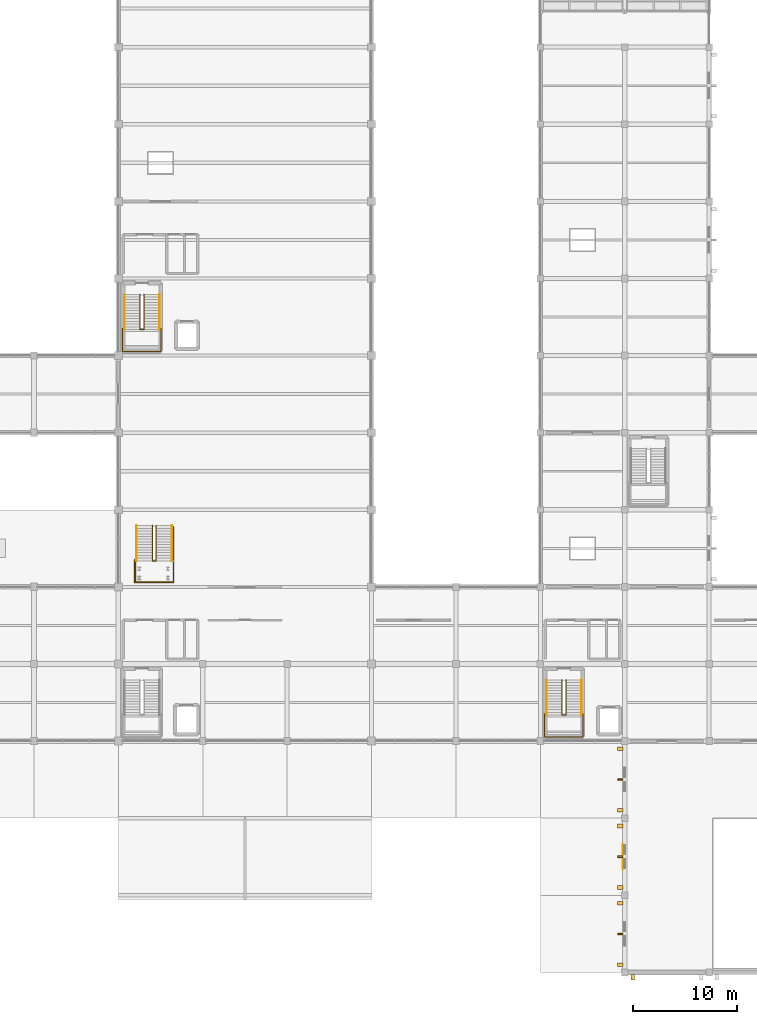
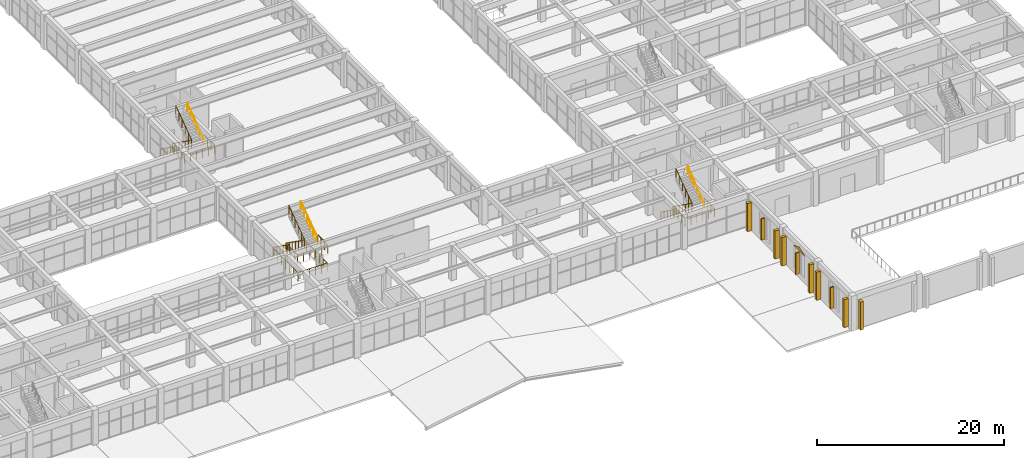
# One storey, part 157 of 161: 13 railings, 10 shading devices, 1 covering.
"""IFC4 building model written with IfcOpenShell, lengths in metres."""

from ifc_helpers import new_model, si_unit, direction, frame, origin, origin_2d, place, context, subcontext, project, spatial, polyline, rectangle, circle, outline, extrude, material, layer, layer_set, type_object, element, save


model = new_model("IFC4")

# Units and contexts
model_context = context("Model", 3, precision=1e-05, world=origin(), true_north=direction((0.0, 1.0)))
body_context = subcontext(model_context, "Body", "Model", "MODEL_VIEW")
ifc_project = project(units=[si_unit("LENGTHUNIT", "METRE"), si_unit("AREAUNIT", "SQUARE_METRE"), si_unit("VOLUMEUNIT", "CUBIC_METRE"), si_unit("PLANEANGLEUNIT", "RADIAN"), si_unit("MASSUNIT", "GRAM", prefix="KILO")], contexts=[model_context])

# Site, building, storey
site_placement = place(None, origin())
site = spatial("IfcSite", under=ifc_project, at=site_placement, CompositionType="ELEMENT")
building_placement = place(site_placement, origin())
building = spatial("IfcBuilding", under=site, at=building_placement, Name="Cimatlan Art Gallery", CompositionType="ELEMENT")
storey_placement = place(building_placement, frame((0.0, 0.0, 5.39990234375)))
storey = spatial("IfcBuildingStorey", under=building, at=storey_placement, Name="L01", CompositionType="ELEMENT", Elevation=5.39990234375)

# Covering
ifc_material_1 = material(Name="Queretaro cantera limestone ashlar hood-mould", Category="masonry")
ifc_layer = layer(ifc_material_1, 0.0419921875)
ifc_layer_set = layer_set([ifc_layer], Name="Queretaro cantera limestone ashlar hood-mould")
covering_type = type_object("IfcCoveringType", Name="COV-CLAD-CANTERA-42", PredefinedType="CLADDING", material=ifc_layer_set)
covering_placement = place(storey_placement, frame((123.32958984375, 11.5400390625, 3.580078125), z_axis=(1.0, 0.0, 0.0), x_axis=(0.0, 1.0, 0.0)))
element("IfcCovering", 1, at=covering_placement, inside=storey, type_object=covering_type, Name="CLD-037", PredefinedType="CLADDING", context=body_context, shape_type="SweptSolid", body=[
    extrude(outline(polyline([(0.0, 0.0), (2.52001953125, 0.0), (1.260009765625, 0.52001953125), (0.0, 0.0)])), origin(), (0.0, 0.0, -1.0), 0.0419921875),
])

# Railings
ifc_material_2 = material(Name="Painted steel and bronze interior balustrade", Category="steel")
railing_type_1 = type_object("IfcRailingType", Name="RL-BAL-INT-1120", PredefinedType="BALUSTRADE", material=ifc_material_2)
railing_1_placement = place(storey_placement, frame((115.81005859375, 26.510009765625, 2.400146484375)))
element("IfcRailing", 2, at=railing_1_placement, inside=storey, type_object=railing_type_1, Name="STR-C4-L01-LGRD", PredefinedType="BALUSTRADE", context=body_context, shape_type="SweptSolid", body=[
    extrude(circle(Radius=0.02392578125, at=origin_2d()), frame((0.0, 0.0, 1.09619140625), z_axis=(0.0, -1.0, 0.0), x_axis=(1.0, 0.0, 0.0)), (0.0, 0.0, 1.0), 2.199951171875),
    extrude(circle(Radius=0.02392578125, at=origin_2d()), frame((0.0, -2.199951171875, 1.09619140625), z_axis=(1.0, 0.0, 0.0), x_axis=(0.0, 1.0, 0.0)), (0.0, 0.0, 1.0), 3.669921875),
    extrude(circle(Radius=0.02392578125, at=origin_2d()), frame((3.669921875, -2.199951171875, 1.09619140625), z_axis=(0.0, 1.0, 0.0), x_axis=(-1.0, 0.0, 0.0)), (0.0, 0.0, 1.0), 2.199951171875),
    extrude(circle(Radius=0.02001953125, at=origin_2d()), origin(), (0.0, 0.0, 1.0), 1.072021484375),
    extrude(circle(Radius=0.02001953125, at=origin_2d()), frame((0.0, -0.7333984375, 0.0)), (0.0, 0.0, 1.0), 1.072021484375),
    extrude(circle(Radius=0.02001953125, at=origin_2d()), frame((0.0, -1.466552734375, 0.0)), (0.0, 0.0, 1.0), 1.072021484375),
    extrude(circle(Radius=0.02001953125, at=origin_2d()), frame((0.0, -2.199951171875, 0.0)), (0.0, 0.0, 1.0), 1.072021484375),
    extrude(circle(Radius=0.02001953125, at=origin_2d()), frame((0.73388671875, -2.199951171875, 0.0)), (0.0, 0.0, 1.0), 1.072021484375),
    extrude(circle(Radius=0.02001953125, at=origin_2d()), frame((1.468017578125, -2.199951171875, 0.0)), (0.0, 0.0, 1.0), 1.072021484375),
    extrude(circle(Radius=0.02001953125, at=origin_2d()), frame((2.201904296875, -2.199951171875, 0.0)), (0.0, 0.0, 1.0), 1.072021484375),
    extrude(circle(Radius=0.02001953125, at=origin_2d()), frame((2.93603515625, -2.199951171875, 0.0)), (0.0, 0.0, 1.0), 1.072021484375),
    extrude(circle(Radius=0.02001953125, at=origin_2d()), frame((3.669921875, -2.199951171875, 0.0)), (0.0, 0.0, 1.0), 1.072021484375),
    extrude(circle(Radius=0.02001953125, at=origin_2d()), frame((3.669921875, -1.466552734375, 0.0)), (0.0, 0.0, 1.0), 1.072021484375),
    extrude(circle(Radius=0.02001953125, at=origin_2d()), frame((3.669921875, -0.7333984375, 0.0)), (0.0, 0.0, 1.0), 1.072021484375),
    extrude(circle(Radius=0.02001953125, at=origin_2d()), frame((3.669921875, 0.0, 0.0)), (0.0, 0.0, 1.0), 1.072021484375),
])
railing_2_placement = place(storey_placement, frame((117.469970703125, 29.780029296875, 0.0)))
element("IfcRailing", 3, at=railing_2_placement, inside=storey, type_object=railing_type_1, Name="STR-C4-L01-GRD", PredefinedType="BALUSTRADE", context=body_context, shape_type="SweptSolid", body=[
    extrude(circle(Radius=0.02392578125, at=origin_2d()), frame((0.0, 0.0, 1.09619140625), z_axis=(0.0, -0.815353794257, 0.578963030072), x_axis=(1.0, 0.0, 0.0)), (0.0, 0.0, 1.0), 4.1455078125),
    extrude(circle(Radius=0.02392578125, at=origin_2d()), frame((0.0, -3.380126953125, 3.49609375), z_axis=(1.0, 0.0, 0.0), x_axis=(0.0, 1.0, 0.0)), (0.0, 0.0, 1.0), 0.400146484375),
    extrude(circle(Radius=0.02392578125, at=origin_2d()), frame((0.400146484375, -3.380126953125, 3.49609375), z_axis=(0.0, 0.815381594603, 0.578923876847), x_axis=(-1.0, 0.0, 0.0)), (0.0, 0.0, 1.0), 4.1455078125),
    extrude(circle(Radius=0.02001953125, at=origin_2d()), origin(), (0.0, 0.0, 1.0), 1.072021484375),
    extrude(circle(Radius=0.02001953125, at=origin_2d()), frame((0.0, -0.676025390625, 0.47998046875)), (0.0, 0.0, 1.0), 1.072021484375),
    extrude(circle(Radius=0.02001953125, at=origin_2d()), frame((0.0, -1.35205078125, 0.9599609375)), (0.0, 0.0, 1.0), 1.072021484375),
    extrude(circle(Radius=0.02001953125, at=origin_2d()), frame((0.0, -2.028076171875, 1.440185546875)), (0.0, 0.0, 1.0), 1.072021484375),
    extrude(circle(Radius=0.02001953125, at=origin_2d()), frame((0.0, -2.7041015625, 1.920166015625)), (0.0, 0.0, 1.0), 1.072021484375),
    extrude(circle(Radius=0.02001953125, at=origin_2d()), frame((0.0, -3.380126953125, 2.400146484375)), (0.0, 0.0, 1.0), 1.072021484375),
    extrude(circle(Radius=0.02001953125, at=origin_2d()), frame((0.400146484375, -3.380126953125, 2.400146484375)), (0.0, 0.0, 1.0), 1.072021484375),
    extrude(circle(Radius=0.02001953125, at=origin_2d()), frame((0.400146484375, -2.7041015625, 2.880126953125)), (0.0, 0.0, 1.0), 1.072021484375),
    extrude(circle(Radius=0.02001953125, at=origin_2d()), frame((0.400146484375, -2.028076171875, 3.360107421875)), (0.0, 0.0, 1.0), 1.072021484375),
    extrude(circle(Radius=0.02001953125, at=origin_2d()), frame((0.400146484375, -1.35205078125, 3.840087890625)), (0.0, 0.0, 1.0), 1.072021484375),
    extrude(circle(Radius=0.02001953125, at=origin_2d()), frame((0.400146484375, -0.676025390625, 4.320068359375)), (0.0, 0.0, 1.0), 1.072021484375),
    extrude(circle(Radius=0.02001953125, at=origin_2d()), frame((0.400146484375, 0.0, 4.800048828125)), (0.0, 0.0, 1.0), 1.072021484375),
])
railing_3_placement = place(storey_placement, frame((75.31005859375, 63.510009765625, 2.400146484375)))
element("IfcRailing", 4, at=railing_3_placement, inside=storey, type_object=railing_type_1, Name="STR-C6-L01-LGRD", PredefinedType="BALUSTRADE", context=body_context, shape_type="SweptSolid", body=[
    extrude(circle(Radius=0.02392578125, at=origin_2d()), frame((0.0, 0.0, 1.09619140625), z_axis=(0.0, -1.0, 0.0), x_axis=(1.0, 0.0, 0.0)), (0.0, 0.0, 1.0), 2.199951171875),
    extrude(circle(Radius=0.02392578125, at=origin_2d()), frame((0.0, -2.199951171875, 1.09619140625), z_axis=(1.0, 0.0, 0.0), x_axis=(0.0, 1.0, 0.0)), (0.0, 0.0, 1.0), 3.669921875),
    extrude(circle(Radius=0.02392578125, at=origin_2d()), frame((3.669921875, -2.199951171875, 1.09619140625), z_axis=(0.0, 1.0, 0.0), x_axis=(-1.0, 0.0, 0.0)), (0.0, 0.0, 1.0), 2.199951171875),
    extrude(circle(Radius=0.02001953125, at=origin_2d()), origin(), (0.0, 0.0, 1.0), 1.072021484375),
    extrude(circle(Radius=0.02001953125, at=origin_2d()), frame((0.0, -0.7333984375, 0.0)), (0.0, 0.0, 1.0), 1.072021484375),
    extrude(circle(Radius=0.02001953125, at=origin_2d()), frame((0.0, -1.466552734375, 0.0)), (0.0, 0.0, 1.0), 1.072021484375),
    extrude(circle(Radius=0.02001953125, at=origin_2d()), frame((0.0, -2.199951171875, 0.0)), (0.0, 0.0, 1.0), 1.072021484375),
    extrude(circle(Radius=0.02001953125, at=origin_2d()), frame((0.73388671875, -2.199951171875, 0.0)), (0.0, 0.0, 1.0), 1.072021484375),
    extrude(circle(Radius=0.02001953125, at=origin_2d()), frame((1.468017578125, -2.199951171875, 0.0)), (0.0, 0.0, 1.0), 1.072021484375),
    extrude(circle(Radius=0.02001953125, at=origin_2d()), frame((2.201904296875, -2.199951171875, 0.0)), (0.0, 0.0, 1.0), 1.072021484375),
    extrude(circle(Radius=0.02001953125, at=origin_2d()), frame((2.93603515625, -2.199951171875, 0.0)), (0.0, 0.0, 1.0), 1.072021484375),
    extrude(circle(Radius=0.02001953125, at=origin_2d()), frame((3.669921875, -2.199951171875, 0.0)), (0.0, 0.0, 1.0), 1.072021484375),
    extrude(circle(Radius=0.02001953125, at=origin_2d()), frame((3.669921875, -1.466552734375, 0.0)), (0.0, 0.0, 1.0), 1.072021484375),
    extrude(circle(Radius=0.02001953125, at=origin_2d()), frame((3.669921875, -0.7333984375, 0.0)), (0.0, 0.0, 1.0), 1.072021484375),
    extrude(circle(Radius=0.02001953125, at=origin_2d()), frame((3.669921875, 0.0, 0.0)), (0.0, 0.0, 1.0), 1.072021484375),
])
railing_4_placement = place(storey_placement, frame((76.969970703125, 66.780029296875, 0.0)))
element("IfcRailing", 5, at=railing_4_placement, inside=storey, type_object=railing_type_1, Name="STR-C6-L01-GRD", PredefinedType="BALUSTRADE", context=body_context, shape_type="SweptSolid", body=[
    extrude(circle(Radius=0.02392578125, at=origin_2d()), frame((0.0, 0.0, 1.09619140625), z_axis=(0.0, -0.815353794257, 0.578963030072), x_axis=(1.0, 0.0, 0.0)), (0.0, 0.0, 1.0), 4.1455078125),
    extrude(circle(Radius=0.02392578125, at=origin_2d()), frame((0.0, -3.380126953125, 3.49609375), z_axis=(1.0, 0.0, 0.0), x_axis=(0.0, 1.0, 0.0)), (0.0, 0.0, 1.0), 0.400146484375),
    extrude(circle(Radius=0.02392578125, at=origin_2d()), frame((0.400146484375, -3.380126953125, 3.49609375), z_axis=(0.0, 0.815381594603, 0.578923876847), x_axis=(-1.0, 0.0, 0.0)), (0.0, 0.0, 1.0), 4.1455078125),
    extrude(circle(Radius=0.02001953125, at=origin_2d()), origin(), (0.0, 0.0, 1.0), 1.072021484375),
    extrude(circle(Radius=0.02001953125, at=origin_2d()), frame((0.0, -0.676025390625, 0.47998046875)), (0.0, 0.0, 1.0), 1.072021484375),
    extrude(circle(Radius=0.02001953125, at=origin_2d()), frame((0.0, -1.35205078125, 0.9599609375)), (0.0, 0.0, 1.0), 1.072021484375),
    extrude(circle(Radius=0.02001953125, at=origin_2d()), frame((0.0, -2.028076171875, 1.440185546875)), (0.0, 0.0, 1.0), 1.072021484375),
    extrude(circle(Radius=0.02001953125, at=origin_2d()), frame((0.0, -2.7041015625, 1.920166015625)), (0.0, 0.0, 1.0), 1.072021484375),
    extrude(circle(Radius=0.02001953125, at=origin_2d()), frame((0.0, -3.380126953125, 2.400146484375)), (0.0, 0.0, 1.0), 1.072021484375),
    extrude(circle(Radius=0.02001953125, at=origin_2d()), frame((0.400146484375, -3.380126953125, 2.400146484375)), (0.0, 0.0, 1.0), 1.072021484375),
    extrude(circle(Radius=0.02001953125, at=origin_2d()), frame((0.400146484375, -2.7041015625, 2.880126953125)), (0.0, 0.0, 1.0), 1.072021484375),
    extrude(circle(Radius=0.02001953125, at=origin_2d()), frame((0.400146484375, -2.028076171875, 3.360107421875)), (0.0, 0.0, 1.0), 1.072021484375),
    extrude(circle(Radius=0.02001953125, at=origin_2d()), frame((0.400146484375, -1.35205078125, 3.840087890625)), (0.0, 0.0, 1.0), 1.072021484375),
    extrude(circle(Radius=0.02001953125, at=origin_2d()), frame((0.400146484375, -0.676025390625, 4.320068359375)), (0.0, 0.0, 1.0), 1.072021484375),
    extrude(circle(Radius=0.02001953125, at=origin_2d()), frame((0.400146484375, 0.0, 4.800048828125)), (0.0, 0.0, 1.0), 1.072021484375),
])
railing_5_placement = place(storey_placement, frame((76.4599609375, 41.31005859375, 2.400146484375)))
element("IfcRailing", 6, at=railing_5_placement, inside=storey, type_object=railing_type_1, Name="STR-FEAT-02-LGRD", PredefinedType="BALUSTRADE", context=body_context, shape_type="SweptSolid", body=[
    extrude(circle(Radius=0.02392578125, at=origin_2d()), frame((0.0, 0.0, 1.09619140625), z_axis=(0.0, -1.0, 0.0), x_axis=(1.0, 0.0, 0.0)), (0.0, 0.0, 1.0), 2.199951171875),
    extrude(circle(Radius=0.02392578125, at=origin_2d()), frame((0.0, -2.199951171875, 1.09619140625), z_axis=(1.0, 0.0, 0.0), x_axis=(0.0, 1.0, 0.0)), (0.0, 0.0, 1.0), 3.72998046875),
    extrude(circle(Radius=0.02392578125, at=origin_2d()), frame((3.72998046875, -2.199951171875, 1.09619140625), z_axis=(0.0, 1.0, 0.0), x_axis=(-1.0, 0.0, 0.0)), (0.0, 0.0, 1.0), 2.199951171875),
    extrude(circle(Radius=0.02001953125, at=origin_2d()), origin(), (0.0, 0.0, 1.0), 1.072021484375),
    extrude(circle(Radius=0.02001953125, at=origin_2d()), frame((0.0, -0.7333984375, 0.0)), (0.0, 0.0, 1.0), 1.072021484375),
    extrude(circle(Radius=0.02001953125, at=origin_2d()), frame((0.0, -1.466552734375, 0.0)), (0.0, 0.0, 1.0), 1.072021484375),
    extrude(circle(Radius=0.02001953125, at=origin_2d()), frame((0.0, -2.199951171875, 0.0)), (0.0, 0.0, 1.0), 1.072021484375),
    extrude(circle(Radius=0.02001953125, at=origin_2d()), frame((0.74609375, -2.199951171875, 0.0)), (0.0, 0.0, 1.0), 1.072021484375),
    extrude(circle(Radius=0.02001953125, at=origin_2d()), frame((1.491943359375, -2.199951171875, 0.0)), (0.0, 0.0, 1.0), 1.072021484375),
    extrude(circle(Radius=0.02001953125, at=origin_2d()), frame((2.238037109375, -2.199951171875, 0.0)), (0.0, 0.0, 1.0), 1.072021484375),
    extrude(circle(Radius=0.02001953125, at=origin_2d()), frame((2.98388671875, -2.199951171875, 0.0)), (0.0, 0.0, 1.0), 1.072021484375),
    extrude(circle(Radius=0.02001953125, at=origin_2d()), frame((3.72998046875, -2.199951171875, 0.0)), (0.0, 0.0, 1.0), 1.072021484375),
    extrude(circle(Radius=0.02001953125, at=origin_2d()), frame((3.72998046875, -1.466552734375, 0.0)), (0.0, 0.0, 1.0), 1.072021484375),
    extrude(circle(Radius=0.02001953125, at=origin_2d()), frame((3.72998046875, -0.7333984375, 0.0)), (0.0, 0.0, 1.0), 1.072021484375),
    extrude(circle(Radius=0.02001953125, at=origin_2d()), frame((3.72998046875, 0.0, 0.0)), (0.0, 0.0, 1.0), 1.072021484375),
])
railing_6_placement = place(storey_placement, frame((78.169921875, 44.580078125, 0.0)))
element("IfcRailing", 7, at=railing_6_placement, inside=storey, type_object=railing_type_1, Name="STR-FEAT-02-GRD", PredefinedType="BALUSTRADE", context=body_context, shape_type="SweptSolid", body=[
    extrude(circle(Radius=0.02392578125, at=origin_2d()), frame((0.0, 0.0, 1.09619140625), z_axis=(0.0, -0.815353794257, 0.578963030072), x_axis=(1.0, 0.0, 0.0)), (0.0, 0.0, 1.0), 4.1455078125),
    extrude(circle(Radius=0.02392578125, at=origin_2d()), frame((0.0, -3.380126953125, 3.49609375), z_axis=(1.0, 0.0, 0.0), x_axis=(0.0, 1.0, 0.0)), (0.0, 0.0, 1.0), 0.360107421875),
    extrude(circle(Radius=0.02392578125, at=origin_2d()), frame((0.360107421875, -3.380126953125, 3.49609375), z_axis=(0.0, 0.815381594603, 0.578923876847), x_axis=(-1.0, 0.0, 0.0)), (0.0, 0.0, 1.0), 4.1455078125),
    extrude(circle(Radius=0.02001953125, at=origin_2d()), origin(), (0.0, 0.0, 1.0), 1.072021484375),
    extrude(circle(Radius=0.02001953125, at=origin_2d()), frame((0.0, -0.676025390625, 0.47998046875)), (0.0, 0.0, 1.0), 1.072021484375),
    extrude(circle(Radius=0.02001953125, at=origin_2d()), frame((0.0, -1.35205078125, 0.9599609375)), (0.0, 0.0, 1.0), 1.072021484375),
    extrude(circle(Radius=0.02001953125, at=origin_2d()), frame((0.0, -2.028076171875, 1.440185546875)), (0.0, 0.0, 1.0), 1.072021484375),
    extrude(circle(Radius=0.02001953125, at=origin_2d()), frame((0.0, -2.7041015625, 1.920166015625)), (0.0, 0.0, 1.0), 1.072021484375),
    extrude(circle(Radius=0.02001953125, at=origin_2d()), frame((0.0, -3.380126953125, 2.400146484375)), (0.0, 0.0, 1.0), 1.072021484375),
    extrude(circle(Radius=0.02001953125, at=origin_2d()), frame((0.360107421875, -3.380126953125, 2.400146484375)), (0.0, 0.0, 1.0), 1.072021484375),
    extrude(circle(Radius=0.02001953125, at=origin_2d()), frame((0.360107421875, -2.7041015625, 2.880126953125)), (0.0, 0.0, 1.0), 1.072021484375),
    extrude(circle(Radius=0.02001953125, at=origin_2d()), frame((0.360107421875, -2.028076171875, 3.360107421875)), (0.0, 0.0, 1.0), 1.072021484375),
    extrude(circle(Radius=0.02001953125, at=origin_2d()), frame((0.360107421875, -1.35205078125, 3.840087890625)), (0.0, 0.0, 1.0), 1.072021484375),
    extrude(circle(Radius=0.02001953125, at=origin_2d()), frame((0.360107421875, -0.676025390625, 4.320068359375)), (0.0, 0.0, 1.0), 1.072021484375),
    extrude(circle(Radius=0.02001953125, at=origin_2d()), frame((0.360107421875, 0.0, 4.800048828125)), (0.0, 0.0, 1.0), 1.072021484375),
])
railing_7_placement = place(storey_placement, frame((76.659912109375, 44.580078125, 0.0)))
element("IfcRailing", 8, at=railing_7_placement, inside=storey, type_object=railing_type_1, Name="STR-FEAT-02-HR1", PredefinedType="BALUSTRADE", context=body_context, shape_type="SweptSolid", body=[
    extrude(circle(Radius=0.02197265625, at=origin_2d()), frame((0.0, 0.0, 1.09814453125), z_axis=(0.0, -0.815353794257, 0.578963030072), x_axis=(1.0, 0.0, 0.0)), (0.0, 0.0, 1.0), 4.1455078125),
    extrude(circle(Radius=0.01904296875, at=origin_2d()), origin(), (0.0, 0.0, 1.0), 1.076171875),
    extrude(circle(Radius=0.01904296875, at=origin_2d()), frame((0.0, -0.676025390625, 0.47998046875)), (0.0, 0.0, 1.0), 1.076171875),
    extrude(circle(Radius=0.01904296875, at=origin_2d()), frame((0.0, -1.35205078125, 0.9599609375)), (0.0, 0.0, 1.0), 1.076171875),
    extrude(circle(Radius=0.01904296875, at=origin_2d()), frame((0.0, -2.028076171875, 1.440185546875)), (0.0, 0.0, 1.0), 1.076171875),
    extrude(circle(Radius=0.01904296875, at=origin_2d()), frame((0.0, -2.7041015625, 1.920166015625)), (0.0, 0.0, 1.0), 1.076171875),
    extrude(circle(Radius=0.01904296875, at=origin_2d()), frame((0.0, -3.380126953125, 2.400146484375)), (0.0, 0.0, 1.0), 1.076171875),
])
railing_8_placement = place(storey_placement, frame((80.0400390625, 41.199951171875, 2.400146484375)))
element("IfcRailing", 9, at=railing_8_placement, inside=storey, type_object=railing_type_1, Name="STR-FEAT-02-HR2", PredefinedType="BALUSTRADE", context=body_context, shape_type="SweptSolid", body=[
    extrude(circle(Radius=0.02197265625, at=origin_2d()), frame((0.0, 0.0, 1.09814453125), z_axis=(0.0, 0.815381594603, 0.578923876847), x_axis=(-1.0, 0.0, 0.0)), (0.0, 0.0, 1.0), 4.1455078125),
    extrude(circle(Radius=0.01904296875, at=origin_2d()), origin(), (0.0, 0.0, 1.0), 1.076171875),
    extrude(circle(Radius=0.01904296875, at=origin_2d()), frame((0.0, 0.676025390625, 0.47998046875)), (0.0, 0.0, 1.0), 1.076171875),
    extrude(circle(Radius=0.01904296875, at=origin_2d()), frame((0.0, 1.35205078125, 0.9599609375)), (0.0, 0.0, 1.0), 1.076171875),
    extrude(circle(Radius=0.01904296875, at=origin_2d()), frame((0.0, 2.028076171875, 1.43994140625)), (0.0, 0.0, 1.0), 1.076171875),
    extrude(circle(Radius=0.01904296875, at=origin_2d()), frame((0.0, 2.7041015625, 1.919921875)), (0.0, 0.0, 1.0), 1.076171875),
    extrude(circle(Radius=0.01904296875, at=origin_2d()), frame((0.0, 3.380126953125, 2.39990234375)), (0.0, 0.0, 1.0), 1.076171875),
])
railing_9_placement = place(storey_placement, frame((76.530029296875, 44.47998046875, 0.0)))
element("IfcRailing", 10, at=railing_9_placement, inside=storey, type_object=railing_type_1, Name="GR-FS95-L01", PredefinedType="BALUSTRADE", context=body_context, shape_type="SweptSolid", body=[
    extrude(circle(Radius=0.02392578125, at=origin_2d()), frame((0.0, 0.0, 1.09619140625), z_axis=(0.0, -1.0, 0.0), x_axis=(1.0, 0.0, 0.0)), (0.0, 0.0, 1.0), 5.300048828125),
    extrude(circle(Radius=0.02392578125, at=origin_2d()), frame((0.0, -5.300048828125, 1.09619140625), z_axis=(1.0, 0.0, 0.0), x_axis=(0.0, 1.0, 0.0)), (0.0, 0.0, 1.0), 3.639892578125),
    extrude(circle(Radius=0.02392578125, at=origin_2d()), frame((3.639892578125, -5.300048828125, 1.09619140625), z_axis=(0.0, 1.0, 0.0), x_axis=(-1.0, 0.0, 0.0)), (0.0, 0.0, 1.0), 5.300048828125),
    extrude(circle(Radius=0.02001953125, at=origin_2d()), origin(), (0.0, 0.0, 1.0), 1.072021484375),
    extrude(circle(Radius=0.02001953125, at=origin_2d()), frame((0.0, -0.88330078125, 0.0)), (0.0, 0.0, 1.0), 1.072021484375),
    extrude(circle(Radius=0.02001953125, at=origin_2d()), frame((0.0, -1.7666015625, 0.0)), (0.0, 0.0, 1.0), 1.072021484375),
    extrude(circle(Radius=0.02001953125, at=origin_2d()), frame((0.0, -2.64990234375, 0.0)), (0.0, 0.0, 1.0), 1.072021484375),
    extrude(circle(Radius=0.02001953125, at=origin_2d()), frame((0.0, -3.533447265625, 0.0)), (0.0, 0.0, 1.0), 1.072021484375),
    extrude(circle(Radius=0.02001953125, at=origin_2d()), frame((0.0, -4.416748046875, 0.0)), (0.0, 0.0, 1.0), 1.072021484375),
    extrude(circle(Radius=0.02001953125, at=origin_2d()), frame((0.0, -5.300048828125, 0.0)), (0.0, 0.0, 1.0), 1.072021484375),
    extrude(circle(Radius=0.02001953125, at=origin_2d()), frame((0.72802734375, -5.300048828125, 0.0)), (0.0, 0.0, 1.0), 1.072021484375),
    extrude(circle(Radius=0.02001953125, at=origin_2d()), frame((1.4560546875, -5.300048828125, 0.0)), (0.0, 0.0, 1.0), 1.072021484375),
    extrude(circle(Radius=0.02001953125, at=origin_2d()), frame((2.183837890625, -5.300048828125, 0.0)), (0.0, 0.0, 1.0), 1.072021484375),
    extrude(circle(Radius=0.02001953125, at=origin_2d()), frame((2.911865234375, -5.300048828125, 0.0)), (0.0, 0.0, 1.0), 1.072021484375),
    extrude(circle(Radius=0.02001953125, at=origin_2d()), frame((3.639892578125, -5.300048828125, 0.0)), (0.0, 0.0, 1.0), 1.072021484375),
    extrude(circle(Radius=0.02001953125, at=origin_2d()), frame((3.639892578125, -4.416748046875, 0.0)), (0.0, 0.0, 1.0), 1.072021484375),
    extrude(circle(Radius=0.02001953125, at=origin_2d()), frame((3.639892578125, -3.533447265625, 0.0)), (0.0, 0.0, 1.0), 1.072021484375),
    extrude(circle(Radius=0.02001953125, at=origin_2d()), frame((3.639892578125, -2.64990234375, 0.0)), (0.0, 0.0, 1.0), 1.072021484375),
    extrude(circle(Radius=0.02001953125, at=origin_2d()), frame((3.639892578125, -1.7666015625, 0.0)), (0.0, 0.0, 1.0), 1.072021484375),
    extrude(circle(Radius=0.02001953125, at=origin_2d()), frame((3.639892578125, -0.88330078125, 0.0)), (0.0, 0.0, 1.0), 1.072021484375),
    extrude(circle(Radius=0.02001953125, at=origin_2d()), frame((3.639892578125, 0.0, 0.0)), (0.0, 0.0, 1.0), 1.072021484375),
])
ifc_material_3 = material(Name="Brushed bronze stair handrail")
railing_type_2 = type_object("IfcRailingType", Name="RL-HND-INT-920", PredefinedType="HANDRAIL", material=ifc_material_3)
railing_10_placement = place(storey_placement, frame((116.010009765625, 29.780029296875, 0.0)))
element("IfcRailing", 11, at=railing_10_placement, inside=storey, type_object=railing_type_2, Name="STR-C4-L01-HR1", PredefinedType="HANDRAIL", context=body_context, shape_type="SweptSolid", body=[
    extrude(circle(Radius=0.02197265625, at=origin_2d()), frame((0.0, 0.0, 0.89794921875), z_axis=(0.0, -0.815353794257, 0.578963030072), x_axis=(1.0, 0.0, 0.0)), (0.0, 0.0, 1.0), 4.1455078125),
    extrude(circle(Radius=0.01904296875, at=origin_2d()), origin(), (0.0, 0.0, 1.0), 0.8759765625),
    extrude(circle(Radius=0.01904296875, at=origin_2d()), frame((0.0, -0.676025390625, 0.47998046875)), (0.0, 0.0, 1.0), 0.8759765625),
    extrude(circle(Radius=0.01904296875, at=origin_2d()), frame((0.0, -1.35205078125, 0.9599609375)), (0.0, 0.0, 1.0), 0.8759765625),
    extrude(circle(Radius=0.01904296875, at=origin_2d()), frame((0.0, -2.028076171875, 1.440185546875)), (0.0, 0.0, 1.0), 0.8759765625),
    extrude(circle(Radius=0.01904296875, at=origin_2d()), frame((0.0, -2.7041015625, 1.920166015625)), (0.0, 0.0, 1.0), 0.8759765625),
    extrude(circle(Radius=0.01904296875, at=origin_2d()), frame((0.0, -3.380126953125, 2.400146484375)), (0.0, 0.0, 1.0), 0.8759765625),
])
railing_11_placement = place(storey_placement, frame((119.330078125, 26.39990234375, 2.400146484375)))
element("IfcRailing", 12, at=railing_11_placement, inside=storey, type_object=railing_type_2, Name="STR-C4-L01-HR2", PredefinedType="HANDRAIL", context=body_context, shape_type="SweptSolid", body=[
    extrude(circle(Radius=0.02197265625, at=origin_2d()), frame((0.0, 0.0, 0.89794921875), z_axis=(0.0, 0.815381594603, 0.578923876847), x_axis=(-1.0, 0.0, 0.0)), (0.0, 0.0, 1.0), 4.1455078125),
    extrude(circle(Radius=0.01904296875, at=origin_2d()), origin(), (0.0, 0.0, 1.0), 0.8759765625),
    extrude(circle(Radius=0.01904296875, at=origin_2d()), frame((0.0, 0.676025390625, 0.47998046875)), (0.0, 0.0, 1.0), 0.8759765625),
    extrude(circle(Radius=0.01904296875, at=origin_2d()), frame((0.0, 1.35205078125, 0.9599609375)), (0.0, 0.0, 1.0), 0.8759765625),
    extrude(circle(Radius=0.01904296875, at=origin_2d()), frame((0.0, 2.028076171875, 1.43994140625)), (0.0, 0.0, 1.0), 0.8759765625),
    extrude(circle(Radius=0.01904296875, at=origin_2d()), frame((0.0, 2.7041015625, 1.919921875)), (0.0, 0.0, 1.0), 0.8759765625),
    extrude(circle(Radius=0.01904296875, at=origin_2d()), frame((0.0, 3.380126953125, 2.39990234375)), (0.0, 0.0, 1.0), 0.8759765625),
])
railing_12_placement = place(storey_placement, frame((75.510009765625, 66.780029296875, 0.0)))
element("IfcRailing", 13, at=railing_12_placement, inside=storey, type_object=railing_type_2, Name="STR-C6-L01-HR1", PredefinedType="HANDRAIL", context=body_context, shape_type="SweptSolid", body=[
    extrude(circle(Radius=0.02197265625, at=origin_2d()), frame((0.0, 0.0, 0.89794921875), z_axis=(0.0, -0.815353794257, 0.578963030072), x_axis=(1.0, 0.0, 0.0)), (0.0, 0.0, 1.0), 4.1455078125),
    extrude(circle(Radius=0.01904296875, at=origin_2d()), origin(), (0.0, 0.0, 1.0), 0.8759765625),
    extrude(circle(Radius=0.01904296875, at=origin_2d()), frame((0.0, -0.676025390625, 0.47998046875)), (0.0, 0.0, 1.0), 0.8759765625),
    extrude(circle(Radius=0.01904296875, at=origin_2d()), frame((0.0, -1.35205078125, 0.9599609375)), (0.0, 0.0, 1.0), 0.8759765625),
    extrude(circle(Radius=0.01904296875, at=origin_2d()), frame((0.0, -2.028076171875, 1.440185546875)), (0.0, 0.0, 1.0), 0.8759765625),
    extrude(circle(Radius=0.01904296875, at=origin_2d()), frame((0.0, -2.7041015625, 1.920166015625)), (0.0, 0.0, 1.0), 0.8759765625),
    extrude(circle(Radius=0.01904296875, at=origin_2d()), frame((0.0, -3.380126953125, 2.400146484375)), (0.0, 0.0, 1.0), 0.8759765625),
])
railing_13_placement = place(storey_placement, frame((78.830078125, 63.39990234375, 2.400146484375)))
element("IfcRailing", 14, at=railing_13_placement, inside=storey, type_object=railing_type_2, Name="STR-C6-L01-HR2", PredefinedType="HANDRAIL", context=body_context, shape_type="SweptSolid", body=[
    extrude(circle(Radius=0.02197265625, at=origin_2d()), frame((0.0, 0.0, 0.89794921875), z_axis=(0.0, 0.815381594603, 0.578923876847), x_axis=(-1.0, 0.0, 0.0)), (0.0, 0.0, 1.0), 4.1455078125),
    extrude(circle(Radius=0.01904296875, at=origin_2d()), origin(), (0.0, 0.0, 1.0), 0.8759765625),
    extrude(circle(Radius=0.01904296875, at=origin_2d()), frame((0.0, 0.676025390625, 0.47998046875)), (0.0, 0.0, 1.0), 0.8759765625),
    extrude(circle(Radius=0.01904296875, at=origin_2d()), frame((0.0, 1.35205078125, 0.9599609375)), (0.0, 0.0, 1.0), 0.8759765625),
    extrude(circle(Radius=0.01904296875, at=origin_2d()), frame((0.0, 2.028076171875, 1.43994140625)), (0.0, 0.0, 1.0), 0.8759765625),
    extrude(circle(Radius=0.01904296875, at=origin_2d()), frame((0.0, 2.7041015625, 1.919921875)), (0.0, 0.0, 1.0), 0.8759765625),
    extrude(circle(Radius=0.01904296875, at=origin_2d()), frame((0.0, 3.380126953125, 2.39990234375)), (0.0, 0.0, 1.0), 0.8759765625),
])

# Shading devices
ifc_material_4 = material(Name="Queretaro cantera limestone buttress pilaster", Category="masonry")
shading_device_type_1 = type_object("IfcShadingDeviceType", Name="SHD-BUT-520", PredefinedType="USERDEFINED", material=ifc_material_4)
for number, where, z_axis, x_axis, name in (
    (15, (124.2490234375, 1.24951171875, 0.06005859375), (0.0, 0.0, 1.0), (-1.0, 0.0, 0.0), "BUT-0174"),
    (16, (123.049560546875, 2.448974609375, 0.06005859375), (0.0, 0.0, 1.0), (0.0, 1.0, 0.0), "BUT-0175"),
    (17, (123.049560546875, 8.35107421875, 0.06005859375), (0.0, 0.0, 1.0), (0.0, 1.0, 0.0), "BUT-0176"),
):
    element("IfcShadingDevice", number, at=place(storey_placement, frame(where, z_axis=z_axis, x_axis=x_axis)), inside=storey, type_object=shading_device_type_1, Name=name, ObjectType="FIN", PredefinedType="USERDEFINED", context=body_context, shape_type="SweptSolid", body=[
        extrude(rectangle(XDim=0.340087890625, YDim=0.52001953125, at=origin_2d()), origin(), (0.0, 0.0, 1.0), 3.675048828125),
    ])
for number, where, z_axis, x_axis, name in (
    (18, (123.049560546875, 9.84912109375, 0.06005859375), (0.0, 0.0, 1.0), (0.0, 1.0, 0.0), "BUT-0177"),
    (19, (123.049560546875, 15.7509765625, 0.06005859375), (0.0, 0.0, 1.0), (0.0, 1.0, 0.0), "BUT-0178"),
):
    element("IfcShadingDevice", number, at=place(storey_placement, frame(where, z_axis=z_axis, x_axis=x_axis)), inside=storey, type_object=shading_device_type_1, Name=name, ObjectType="FIN", PredefinedType="USERDEFINED", context=body_context, shape_type="SweptSolid", body=[
        extrude(rectangle(XDim=0.340087890625, YDim=0.52001953125, at=origin_2d()), origin(), (0.0, 0.0, 1.0), 3.72509765625),
    ])
for number, where, z_axis, x_axis, name in (
    (20, (123.049560546875, 17.2490234375, 0.06005859375), (0.0, 0.0, 1.0), (0.0, 1.0, 0.0), "BUT-0179"),
    (21, (123.049560546875, 23.15087890625, 0.06005859375), (0.0, 0.0, 1.0), (0.0, 1.0, 0.0), "BUT-0180"),
):
    element("IfcShadingDevice", number, at=place(storey_placement, frame(where, z_axis=z_axis, x_axis=x_axis)), inside=storey, type_object=shading_device_type_1, Name=name, ObjectType="FIN", PredefinedType="USERDEFINED", context=body_context, shape_type="SweptSolid", body=[
        extrude(rectangle(XDim=0.340087890625, YDim=0.52001953125, at=origin_2d()), origin(), (0.0, 0.0, 1.0), 3.675048828125),
    ])
ifc_material_5 = material(Name="Queretaro cantera limestone lancet mullion fin", Category="masonry")
shading_device_type_2 = type_object("IfcShadingDeviceType", Name="SHD-FIN-480", PredefinedType="USERDEFINED", material=ifc_material_5)
for number, where, z_axis, x_axis, name in (
    (22, (123.069580078125, 5.39990234375, 0.64990234375), (0.0, 0.0, 1.0), (0.0, 1.0, 0.0), "FIN-050"),
    (23, (123.069580078125, 12.800048828125, 0.64990234375), (0.0, 0.0, 1.0), (0.0, 1.0, 0.0), "FIN-051"),
    (24, (123.069580078125, 20.199951171875, 0.64990234375), (0.0, 0.0, 1.0), (0.0, 1.0, 0.0), "FIN-052"),
):
    element("IfcShadingDevice", number, at=place(storey_placement, frame(where, z_axis=z_axis, x_axis=x_axis)), inside=storey, type_object=shading_device_type_2, Name=name, ObjectType="FIN", PredefinedType="USERDEFINED", context=body_context, shape_type="SweptSolid", body=[
        extrude(rectangle(XDim=0.159912109375, YDim=0.47998046875, at=origin_2d()), origin(), (0.0, 0.0, 1.0), 2.800048828125),
    ])

save(model, "model.ifc")
